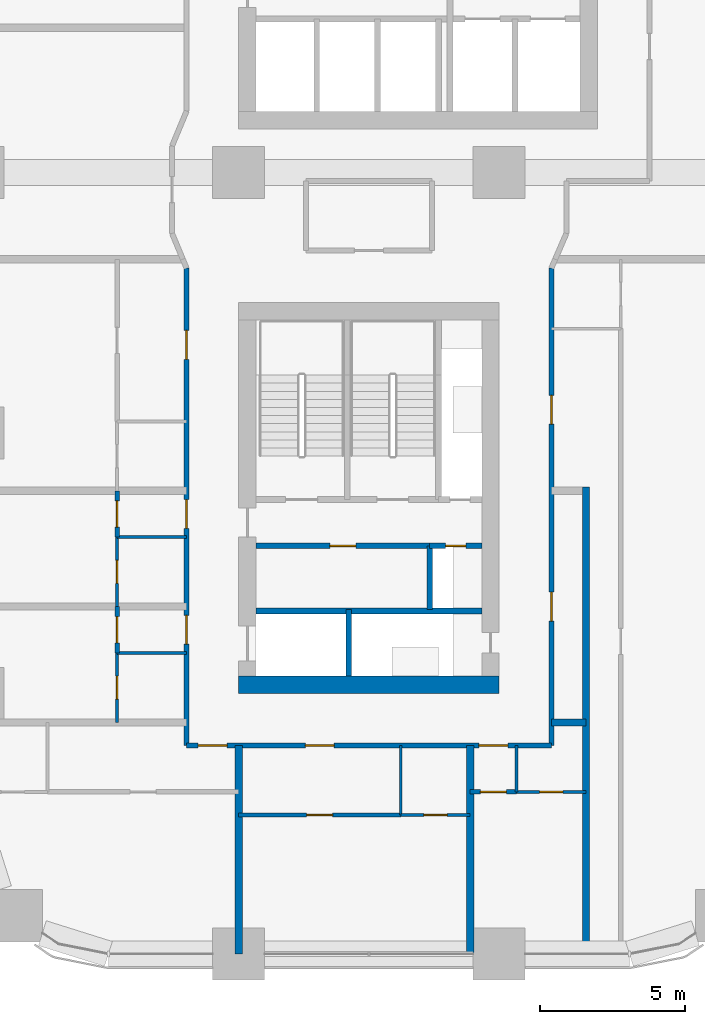
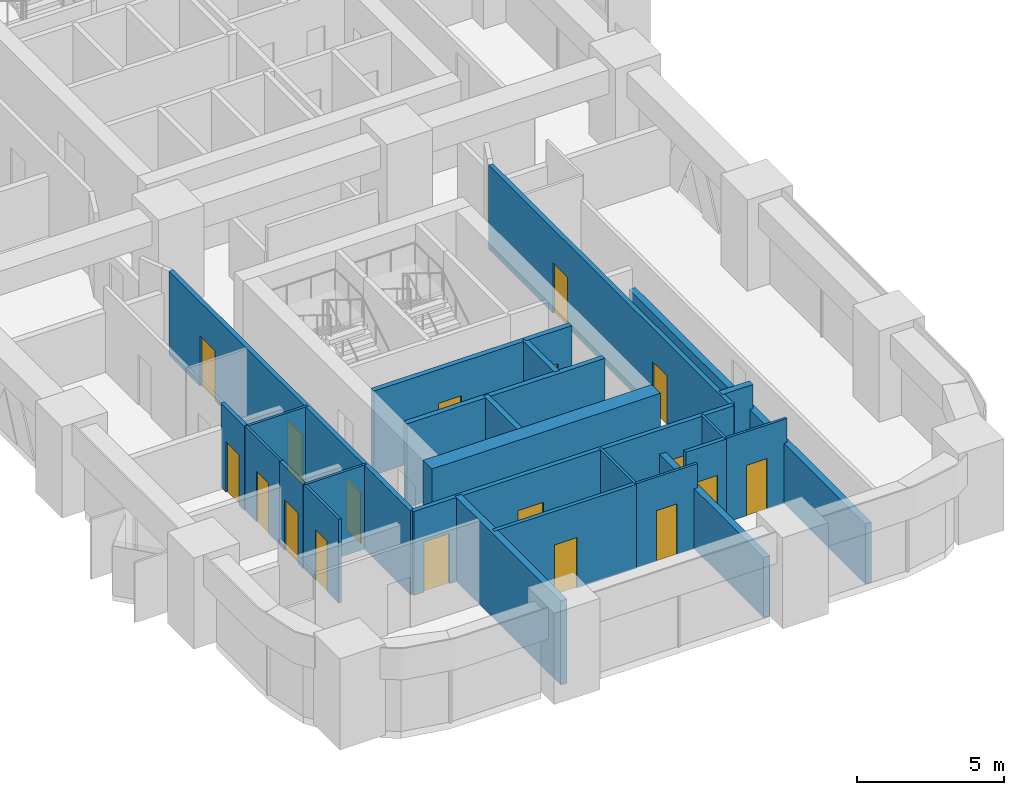
# One storey, part 13 of 24: 25 walls, 18 doors, 18 openings.
"""IFC4 building model written with IfcOpenShell, lengths in metres."""

from ifc_helpers import new_model, si_unit, direction, frame, frame_2d, origin, place, context, subcontext, project, spatial, rectangle, extrude, material, layer, layer_set, type_object, element, fill, save


model = new_model("IFC4")

# Units and contexts
model_context = context("Model", 3, precision=1e-05, world=origin(), true_north=direction((0.0, 1.0)))
body_context = subcontext(model_context, "Body", "Model", "MODEL_VIEW")
ifc_project = project(units=[si_unit("LENGTHUNIT", "METRE"), si_unit("AREAUNIT", "SQUARE_METRE"), si_unit("VOLUMEUNIT", "CUBIC_METRE"), si_unit("PLANEANGLEUNIT", "RADIAN"), si_unit("MASSUNIT", "GRAM", prefix="KILO")], contexts=[model_context])

# Site, building, storey
site_placement = place(None, origin())
site = spatial("IfcSite", under=ifc_project, at=site_placement, CompositionType="ELEMENT")
building_placement = place(site_placement, origin())
building = spatial("IfcBuilding", under=site, at=building_placement, Name="Tessera Arch", CompositionType="ELEMENT")
storey_placement = place(building_placement, frame((0.0, 0.0, 81.60009765625)))
storey = spatial("IfcBuildingStorey", under=building, at=storey_placement, Name="L18", CompositionType="ELEMENT", Elevation=81.60009765625)

# Wall, opening, door
ifc_material_1 = material(Name="Gypsum board on steel stud", Category="steel")
ifc_layer_1 = layer(ifc_material_1, 0.125)
ifc_layer_set_1 = layer_set([ifc_layer_1], Name="Core partition 125 EI 60")
wall_type_1 = type_object("IfcWallType", Name="Core partition 125 EI 60", PredefinedType="PARTITIONING", material=ifc_layer_set_1)
wall_1_placement = place(storey_placement, frame((36.60009765625, 14.10009765625, 0.0), z_axis=(0.0, 0.0, 1.0), x_axis=(1.0, 0.0, 0.0)))
wall_1 = element("IfcWall", 1, at=wall_1_placement, inside=storey, type_object=wall_type_1, Name="L18 C3 partition wall 8", PredefinedType="PARTITIONING", context=body_context, shape_type="SweptSolid", body=[
    extrude(rectangle(XDim=6.0, YDim=0.199951171875, at=frame_2d((3.0, 0.0))), origin(), (0.0, 0.0, 1.0), 3.5),
])
opening_1_placement = place(wall_1_placement, frame((2.550048828125, 0.0, 0.0)))
opening_1 = element("IfcOpeningElement", 2, at=opening_1_placement, cuts=wall_1, Name="Opening L18-C40", PredefinedType="OPENING", context=body_context, shape_type="SweptSolid", body=[
    extrude(rectangle(XDim=0.89990234375, YDim=2.10009765625, at=frame_2d((0.449951171875, 1.050048828125))), frame((0.0, 0.10986328125, 0.0), z_axis=(0.0, -1.0, 0.0), x_axis=(1.0, 0.0, 0.0)), (0.0, 0.0, 1.0), 0.219970703125),
])
ifc_material_2 = material(Name="Steel door leaf", Category="steel")
door_type_1 = type_object("IfcDoorType", Name="Store door FD30S 900 x 2100", OperationType="SINGLE_SWING_LEFT", PredefinedType="DOOR", material=ifc_material_2)
door_1_placement = place(opening_1_placement, origin())
door_1 = element("IfcDoor", 3, at=door_1_placement, inside=storey, type_object=door_type_1, Name="L18 C3 door 8 C40 type D09", OperationType="SINGLE_SWING_LEFT", OverallHeight=2.10009765625, OverallWidth=0.89990234375, PredefinedType="DOOR", context=body_context, shape_type="SweptSolid", body=[
    extrude(rectangle(XDim=0.89990234375, YDim=2.10009765625, at=frame_2d((0.449951171875, 1.050048828125))), frame((0.0, 0.02490234375, 0.0), z_axis=(0.0, -1.0, 0.0), x_axis=(1.0, 0.0, 0.0)), (0.0, 0.0, 1.0), 0.050048828125),
])
fill(opening_1, door_1)

# Wall
ifc_material_3 = material(Name="Concrete C70/85", Category="concrete")
ifc_layer_2 = layer(ifc_material_3, 0.60009765625)
ifc_layer_set_2 = layer_set([ifc_layer_2], Name="Core shell wall 600 C70-85")
wall_type_2 = type_object("IfcWallType", Name="Core shell wall 600 C70-85", PredefinedType="SHEAR", material=ifc_layer_set_2)
wall_2_placement = place(storey_placement, frame((36.0, 9.300048828125, 0.0), z_axis=(0.0, 0.0, 1.0), x_axis=(1.0, 0.0, 0.0)))
element("IfcWall", 4, at=wall_2_placement, inside=storey, type_object=wall_type_2, Name="L18 C3 core wall S", PredefinedType="SHEAR", context=body_context, shape_type="SweptSolid", body=[
    extrude(rectangle(XDim=9.0, YDim=0.60009765625, at=frame_2d((4.5, 0.0))), origin(), (0.0, 0.0, 1.0), 3.5),
])

# Wall, openings, doors
ifc_material_4 = material(Name="Gypsum board on deep steel stud with mineral wool", Category="steel")
ifc_layer_3 = layer(ifc_material_4, 0.175048828125)
ifc_layer_set_3 = layer_set([ifc_layer_3], Name="Corridor wall 175 EI 60")
wall_type_3 = type_object("IfcWallType", Name="Corridor wall 175 EI 60", PredefinedType="PARTITIONING", material=ifc_layer_set_3)
wall_3_placement = place(storey_placement, frame((34.199951171875, 7.199951171875, 0.0), z_axis=(0.0, 0.0, 1.0), x_axis=(1.0, 0.0, 0.0)))
wall_3 = element("IfcWall", 5, at=wall_3_placement, inside=storey, type_object=wall_type_3, Name="L18 partition 1", PredefinedType="PARTITIONING", context=body_context, shape_type="SweptSolid", body=[
    extrude(rectangle(XDim=12.60009765625, YDim=0.175048828125, at=frame_2d((6.300048828125, 0.0))), origin(), (0.0, 0.0, 1.0), 3.5),
])
opening_2_placement = place(wall_3_placement, frame((4.10009765625, 0.0, 0.0)))
opening_2 = element("IfcOpeningElement", 6, at=opening_2_placement, cuts=wall_3, Name="Opening L18-D001", PredefinedType="OPENING", context=body_context, shape_type="SweptSolid", body=[
    extrude(rectangle(XDim=1.0, YDim=2.10009765625, at=frame_2d((0.5, 1.050048828125))), frame((0.0, 0.097412109375, 0.0), z_axis=(0.0, -1.0, 0.0), x_axis=(1.0, 0.0, 0.0)), (0.0, 0.0, 1.0), 0.195068359375),
])
opening_3_placement = place(wall_3_placement, frame((10.10009765625, 0.0, 0.0)))
opening_3 = element("IfcOpeningElement", 7, at=opening_3_placement, cuts=wall_3, Name="Opening L18-D004", PredefinedType="OPENING", context=body_context, shape_type="SweptSolid", body=[
    extrude(rectangle(XDim=1.0, YDim=2.10009765625, at=frame_2d((0.5, 1.050048828125))), frame((0.0, 0.097412109375, 0.0), z_axis=(0.0, -1.0, 0.0), x_axis=(1.0, 0.0, 0.0)), (0.0, 0.0, 1.0), 0.195068359375),
])
opening_4_placement = place(wall_3_placement, frame((0.39990234375, 0.0, 0.0)))
opening_4 = element("IfcOpeningElement", 8, at=opening_4_placement, cuts=wall_3, Name="Opening L18-D007", PredefinedType="OPENING", context=body_context, shape_type="SweptSolid", body=[
    extrude(rectangle(XDim=1.0, YDim=2.10009765625, at=frame_2d((0.5, 1.050048828125))), frame((0.0, 0.097412109375, 0.0), z_axis=(0.0, -1.0, 0.0), x_axis=(1.0, 0.0, 0.0)), (0.0, 0.0, 1.0), 0.195068359375),
])
ifc_material_5 = material(Name="Fire-rated door leaf")
door_type_2 = type_object("IfcDoorType", Name="Entrance door FD30S 1000 x 2100", OperationType="SINGLE_SWING_LEFT", PredefinedType="DOOR", material=ifc_material_5)
door_2_placement = place(opening_2_placement, origin())
door_2 = element("IfcDoor", 9, at=door_2_placement, inside=storey, type_object=door_type_2, Name="L18 door D001 type D03", OperationType="SINGLE_SWING_RIGHT", OverallHeight=2.10009765625, OverallWidth=1.0, PredefinedType="DOOR", context=body_context, shape_type="SweptSolid", body=[
    extrude(rectangle(XDim=1.0, YDim=2.10009765625, at=frame_2d((0.5, 1.050048828125))), frame((0.0, 0.02490234375, 0.0), z_axis=(0.0, -1.0, 0.0), x_axis=(1.0, 0.0, 0.0)), (0.0, 0.0, 1.0), 0.050048828125),
])
fill(opening_2, door_2)
door_3_placement = place(opening_3_placement, origin())
door_3 = element("IfcDoor", 10, at=door_3_placement, inside=storey, type_object=door_type_2, Name="L18 door D004 type D03", OperationType="SINGLE_SWING_LEFT", OverallHeight=2.10009765625, OverallWidth=1.0, PredefinedType="DOOR", context=body_context, shape_type="SweptSolid", body=[
    extrude(rectangle(XDim=1.0, YDim=2.10009765625, at=frame_2d((0.5, 1.050048828125))), frame((0.0, 0.02490234375, 0.0), z_axis=(0.0, -1.0, 0.0), x_axis=(1.0, 0.0, 0.0)), (0.0, 0.0, 1.0), 0.050048828125),
])
fill(opening_3, door_3)
door_4_placement = place(opening_4_placement, origin())
door_4 = element("IfcDoor", 11, at=door_4_placement, inside=storey, type_object=door_type_2, Name="L18 door D007 type D03", OperationType="SINGLE_SWING_RIGHT", OverallHeight=2.10009765625, OverallWidth=1.0, PredefinedType="DOOR", context=body_context, shape_type="SweptSolid", body=[
    extrude(rectangle(XDim=1.0, YDim=2.10009765625, at=frame_2d((0.5, 1.050048828125))), frame((0.0, 0.02490234375, 0.0), z_axis=(0.0, -1.0, 0.0), x_axis=(1.0, 0.0, 0.0)), (0.0, 0.0, 1.0), 0.050048828125),
])
fill(opening_4, door_4)

wall_4_placement = place(storey_placement, frame((34.199951171875, 7.199951171875, 0.0), z_axis=(0.0, 0.0, 1.0), x_axis=(0.0, 1.0, 0.0)))
wall_4 = element("IfcWall", 12, at=wall_4_placement, inside=storey, type_object=wall_type_3, Name="L18 partition 15", PredefinedType="PARTITIONING", context=body_context, shape_type="SweptSolid", body=[
    extrude(rectangle(XDim=16.489990234375, YDim=0.175048828125, at=frame_2d((8.2451171875, 0.0))), origin(), (0.0, 0.0, 1.0), 3.5),
])
opening_5_placement = place(wall_4_placement, frame((3.5, 0.0, 0.0)))
opening_5 = element("IfcOpeningElement", 13, at=opening_5_placement, cuts=wall_4, Name="Opening L18-D010", PredefinedType="OPENING", context=body_context, shape_type="SweptSolid", body=[
    extrude(rectangle(XDim=1.0, YDim=2.10009765625, at=frame_2d((0.5, 1.050048828125))), frame((0.0, 0.097412109375, 0.0), z_axis=(0.0, -1.0, 0.0), x_axis=(1.0, 0.0, 0.0)), (0.0, 0.0, 1.0), 0.195068359375),
])
opening_6_placement = place(wall_4_placement, frame((7.5, 0.0, 0.0)))
opening_6 = element("IfcOpeningElement", 14, at=opening_6_placement, cuts=wall_4, Name="Opening L18-D017", PredefinedType="OPENING", context=body_context, shape_type="SweptSolid", body=[
    extrude(rectangle(XDim=1.0, YDim=2.10009765625, at=frame_2d((0.5, 1.050048828125))), frame((0.0, 0.097412109375, 0.0), z_axis=(0.0, -1.0, 0.0), x_axis=(1.0, 0.0, 0.0)), (0.0, 0.0, 1.0), 0.195068359375),
])
opening_7_placement = place(wall_4_placement, frame((13.344970703125, 0.0, 0.0)))
opening_7 = element("IfcOpeningElement", 15, at=opening_7_placement, cuts=wall_4, Name="Opening L18-D020", PredefinedType="OPENING", context=body_context, shape_type="SweptSolid", body=[
    extrude(rectangle(XDim=1.0, YDim=2.10009765625, at=frame_2d((0.5, 1.050048828125))), frame((0.0, 0.097412109375, 0.0), z_axis=(0.0, -1.0, 0.0), x_axis=(1.0, 0.0, 0.0)), (0.0, 0.0, 1.0), 0.195068359375),
])
door_5_placement = place(opening_5_placement, origin())
door_5 = element("IfcDoor", 16, at=door_5_placement, inside=storey, type_object=door_type_2, Name="L18 door D010 type D03", OperationType="SINGLE_SWING_RIGHT", OverallHeight=2.10009765625, OverallWidth=1.0, PredefinedType="DOOR", context=body_context, shape_type="SweptSolid", body=[
    extrude(rectangle(XDim=1.0, YDim=2.10009765625, at=frame_2d((0.5, 1.050048828125))), frame((0.0, 0.02490234375, 0.0), z_axis=(0.0, -1.0, 0.0), x_axis=(1.0, 0.0, 0.0)), (0.0, 0.0, 1.0), 0.050048828125),
])
fill(opening_5, door_5)
door_6_placement = place(opening_6_placement, origin())
door_6 = element("IfcDoor", 17, at=door_6_placement, inside=storey, type_object=door_type_2, Name="L18 door D017 type D03", OperationType="SINGLE_SWING_LEFT", OverallHeight=2.10009765625, OverallWidth=1.0, PredefinedType="DOOR", context=body_context, shape_type="SweptSolid", body=[
    extrude(rectangle(XDim=1.0, YDim=2.10009765625, at=frame_2d((0.5, 1.050048828125))), frame((0.0, 0.02490234375, 0.0), z_axis=(0.0, -1.0, 0.0), x_axis=(1.0, 0.0, 0.0)), (0.0, 0.0, 1.0), 0.050048828125),
])
fill(opening_6, door_6)
door_7_placement = place(opening_7_placement, origin())
door_7 = element("IfcDoor", 18, at=door_7_placement, inside=storey, type_object=door_type_2, Name="L18 door D020 type D03", OperationType="SINGLE_SWING_RIGHT", OverallHeight=2.10009765625, OverallWidth=1.0, PredefinedType="DOOR", context=body_context, shape_type="SweptSolid", body=[
    extrude(rectangle(XDim=1.0, YDim=2.10009765625, at=frame_2d((0.5, 1.050048828125))), frame((0.0, 0.02490234375, 0.0), z_axis=(0.0, -1.0, 0.0), x_axis=(1.0, 0.0, 0.0)), (0.0, 0.0, 1.0), 0.050048828125),
])
fill(opening_7, door_7)

wall_5_placement = place(storey_placement, frame((46.800048828125, 7.199951171875, 0.0), z_axis=(0.0, 0.0, 1.0), x_axis=(0.0, 1.0, 0.0)))
wall_5 = element("IfcWall", 19, at=wall_5_placement, inside=storey, type_object=wall_type_3, Name="L18 partition 20", PredefinedType="PARTITIONING", context=body_context, shape_type="SweptSolid", body=[
    extrude(rectangle(XDim=16.489990234375, YDim=0.175048828125, at=frame_2d((8.2451171875, 0.0))), origin(), (0.0, 0.0, 1.0), 3.5),
])
opening_8_placement = place(wall_5_placement, frame((4.300048828125, 0.0, 0.0)))
opening_8 = element("IfcOpeningElement", 20, at=opening_8_placement, cuts=wall_5, Name="Opening L18-D013", PredefinedType="OPENING", context=body_context, shape_type="SweptSolid", body=[
    extrude(rectangle(XDim=1.0, YDim=2.10009765625, at=frame_2d((0.5, 1.050048828125))), frame((0.0, 0.097412109375, 0.0), z_axis=(0.0, -1.0, 0.0), x_axis=(1.0, 0.0, 0.0)), (0.0, 0.0, 1.0), 0.195068359375),
])
opening_9_placement = place(wall_5_placement, frame((11.10009765625, 0.0, 0.0)))
opening_9 = element("IfcOpeningElement", 21, at=opening_9_placement, cuts=wall_5, Name="Opening L18-D014", PredefinedType="OPENING", context=body_context, shape_type="SweptSolid", body=[
    extrude(rectangle(XDim=1.0, YDim=2.10009765625, at=frame_2d((0.5, 1.050048828125))), frame((0.0, 0.097412109375, 0.0), z_axis=(0.0, -1.0, 0.0), x_axis=(1.0, 0.0, 0.0)), (0.0, 0.0, 1.0), 0.195068359375),
])
door_8_placement = place(opening_8_placement, origin())
door_8 = element("IfcDoor", 22, at=door_8_placement, inside=storey, type_object=door_type_2, Name="L18 door D013 type D03", OperationType="SINGLE_SWING_RIGHT", OverallHeight=2.10009765625, OverallWidth=1.0, PredefinedType="DOOR", context=body_context, shape_type="SweptSolid", body=[
    extrude(rectangle(XDim=1.0, YDim=2.10009765625, at=frame_2d((0.5, 1.050048828125))), frame((0.0, 0.02490234375, 0.0), z_axis=(0.0, -1.0, 0.0), x_axis=(1.0, 0.0, 0.0)), (0.0, 0.0, 1.0), 0.050048828125),
])
fill(opening_8, door_8)
door_9_placement = place(opening_9_placement, origin())
door_9 = element("IfcDoor", 23, at=door_9_placement, inside=storey, type_object=door_type_2, Name="L18 door D014 type D03", OperationType="SINGLE_SWING_LEFT", OverallHeight=2.10009765625, OverallWidth=1.0, PredefinedType="DOOR", context=body_context, shape_type="SweptSolid", body=[
    extrude(rectangle(XDim=1.0, YDim=2.10009765625, at=frame_2d((0.5, 1.050048828125))), frame((0.0, 0.02490234375, 0.0), z_axis=(0.0, -1.0, 0.0), x_axis=(1.0, 0.0, 0.0)), (0.0, 0.0, 1.0), 0.050048828125),
])
fill(opening_9, door_9)

# Wall, opening, door
ifc_material_6 = material(Name="Gypsum board on steel stud", Category="steel")
ifc_layer_4 = layer(ifc_material_6, 0.14990234375)
ifc_layer_set_4 = layer_set([ifc_layer_4], Name="Partition 150")
wall_type_4 = type_object("IfcWallType", Name="Partition 150", PredefinedType="PARTITIONING", material=ifc_layer_set_4)
wall_6_placement = place(storey_placement, frame((36.0, 4.800048828125, 0.0), z_axis=(0.0, 0.0, 1.0), x_axis=(1.0, 0.0, 0.0)))
wall_6 = element("IfcWall", 24, at=wall_6_placement, inside=storey, type_object=wall_type_4, Name="L18 partition 23", PredefinedType="PARTITIONING", context=body_context, shape_type="SweptSolid", body=[
    extrude(rectangle(XDim=5.60009765625, YDim=0.14990234375, at=frame_2d((2.800048828125, 0.0))), origin(), (0.0, 0.0, 1.0), 3.5),
])
opening_10_placement = place(wall_6_placement, frame((2.35009765625, 0.0, 0.0)))
opening_10 = element("IfcOpeningElement", 25, at=opening_10_placement, cuts=wall_6, Name="Opening L18-D002", PredefinedType="OPENING", context=body_context, shape_type="SweptSolid", body=[
    extrude(rectangle(XDim=0.89990234375, YDim=2.10009765625, at=frame_2d((0.449951171875, 1.050048828125))), frame((0.0, 0.0849609375, 0.0), z_axis=(0.0, -1.0, 0.0), x_axis=(1.0, 0.0, 0.0)), (0.0, 0.0, 1.0), 0.169921875),
])
ifc_material_7 = material(Name="Timber door leaf", Category="wood")
door_type_3 = type_object("IfcDoorType", Name="Room door 900 x 2100", OperationType="SINGLE_SWING_LEFT", PredefinedType="DOOR", material=ifc_material_7)
door_10_placement = place(opening_10_placement, origin())
door_10 = element("IfcDoor", 26, at=door_10_placement, inside=storey, type_object=door_type_3, Name="L18 door D002 type D01", OperationType="SINGLE_SWING_LEFT", OverallHeight=2.10009765625, OverallWidth=0.89990234375, PredefinedType="DOOR", context=body_context, shape_type="SweptSolid", body=[
    extrude(rectangle(XDim=0.89990234375, YDim=2.10009765625, at=frame_2d((0.449951171875, 1.050048828125))), frame((0.0, 0.02490234375, 0.0), z_axis=(0.0, -1.0, 0.0), x_axis=(1.0, 0.0, 0.0)), (0.0, 0.0, 1.0), 0.050048828125),
])
fill(opening_10, door_10)

wall_7_placement = place(storey_placement, frame((44.0, 5.60009765625, 0.0), z_axis=(0.0, 0.0, 1.0), x_axis=(1.0, 0.0, 0.0)))
wall_7 = element("IfcWall", 27, at=wall_7_placement, inside=storey, type_object=wall_type_4, Name="L18 partition 25", PredefinedType="PARTITIONING", context=body_context, shape_type="SweptSolid", body=[
    extrude(rectangle(XDim=1.60009765625, YDim=0.14990234375, at=frame_2d((0.800048828125, 0.0))), origin(), (0.0, 0.0, 1.0), 3.5),
])
opening_11_placement = place(wall_7_placement, frame((0.35009765625, 0.0, 0.0)))
opening_11 = element("IfcOpeningElement", 28, at=opening_11_placement, cuts=wall_7, Name="Opening L18-D005", PredefinedType="OPENING", context=body_context, shape_type="SweptSolid", body=[
    extrude(rectangle(XDim=0.89990234375, YDim=2.10009765625, at=frame_2d((0.449951171875, 1.050048828125))), frame((0.0, 0.0849609375, 0.0), z_axis=(0.0, -1.0, 0.0), x_axis=(1.0, 0.0, 0.0)), (0.0, 0.0, 1.0), 0.169921875),
])
door_11_placement = place(opening_11_placement, origin())
door_11 = element("IfcDoor", 29, at=door_11_placement, inside=storey, type_object=door_type_3, Name="L18 door D005 type D01", OperationType="SINGLE_SWING_RIGHT", OverallHeight=2.10009765625, OverallWidth=0.89990234375, PredefinedType="DOOR", context=body_context, shape_type="SweptSolid", body=[
    extrude(rectangle(XDim=0.89990234375, YDim=2.10009765625, at=frame_2d((0.449951171875, 1.050048828125))), frame((0.0, 0.02490234375, 0.0), z_axis=(0.0, -1.0, 0.0), x_axis=(1.0, 0.0, 0.0)), (0.0, 0.0, 1.0), 0.050048828125),
])
fill(opening_11, door_11)

wall_8_placement = place(storey_placement, frame((31.800048828125, 10.39990234375, 0.0), z_axis=(0.0, 0.0, 1.0), x_axis=(0.0, 1.0, 0.0)))
wall_8 = element("IfcWall", 30, at=wall_8_placement, inside=storey, type_object=wall_type_4, Name="L18 partition 26", PredefinedType="PARTITIONING", context=body_context, shape_type="SweptSolid", body=[
    extrude(rectangle(XDim=1.60009765625, YDim=0.14990234375, at=frame_2d((0.800048828125, 0.0))), origin(), (0.0, 0.0, 1.0), 3.5),
])
opening_12_placement = place(wall_8_placement, frame((0.35009765625, 0.0, 0.0)))
opening_12 = element("IfcOpeningElement", 31, at=opening_12_placement, cuts=wall_8, Name="Opening L18-D011", PredefinedType="OPENING", context=body_context, shape_type="SweptSolid", body=[
    extrude(rectangle(XDim=0.89990234375, YDim=2.10009765625, at=frame_2d((0.449951171875, 1.050048828125))), frame((0.0, 0.0849609375, 0.0), z_axis=(0.0, -1.0, 0.0), x_axis=(1.0, 0.0, 0.0)), (0.0, 0.0, 1.0), 0.169921875),
])
door_12_placement = place(opening_12_placement, origin())
door_12 = element("IfcDoor", 32, at=door_12_placement, inside=storey, type_object=door_type_3, Name="L18 door D011 type D01", OperationType="SINGLE_SWING_LEFT", OverallHeight=2.10009765625, OverallWidth=0.89990234375, PredefinedType="DOOR", context=body_context, shape_type="SweptSolid", body=[
    extrude(rectangle(XDim=0.89990234375, YDim=2.10009765625, at=frame_2d((0.449951171875, 1.050048828125))), frame((0.0, 0.02490234375, 0.0), z_axis=(0.0, -1.0, 0.0), x_axis=(1.0, 0.0, 0.0)), (0.0, 0.0, 1.0), 0.050048828125),
])
fill(opening_12, door_12)

wall_9_placement = place(storey_placement, frame((31.800048828125, 14.39990234375, 0.0), z_axis=(0.0, 0.0, 1.0), x_axis=(0.0, 1.0, 0.0)))
wall_9 = element("IfcWall", 33, at=wall_9_placement, inside=storey, type_object=wall_type_4, Name="L18 partition 27", PredefinedType="PARTITIONING", context=body_context, shape_type="SweptSolid", body=[
    extrude(rectangle(XDim=1.60009765625, YDim=0.14990234375, at=frame_2d((0.800048828125, 0.0))), origin(), (0.0, 0.0, 1.0), 3.5),
])
opening_13_placement = place(wall_9_placement, frame((0.35009765625, 0.0, 0.0)))
opening_13 = element("IfcOpeningElement", 34, at=opening_13_placement, cuts=wall_9, Name="Opening L18-D018", PredefinedType="OPENING", context=body_context, shape_type="SweptSolid", body=[
    extrude(rectangle(XDim=0.89990234375, YDim=2.10009765625, at=frame_2d((0.449951171875, 1.050048828125))), frame((0.0, 0.0849609375, 0.0), z_axis=(0.0, -1.0, 0.0), x_axis=(1.0, 0.0, 0.0)), (0.0, 0.0, 1.0), 0.169921875),
])
door_13_placement = place(opening_13_placement, origin())
door_13 = element("IfcDoor", 35, at=door_13_placement, inside=storey, type_object=door_type_3, Name="L18 door D018 type D01", OperationType="SINGLE_SWING_RIGHT", OverallHeight=2.10009765625, OverallWidth=0.89990234375, PredefinedType="DOOR", context=body_context, shape_type="SweptSolid", body=[
    extrude(rectangle(XDim=0.89990234375, YDim=2.10009765625, at=frame_2d((0.449951171875, 1.050048828125))), frame((0.0, 0.02490234375, 0.0), z_axis=(0.0, -1.0, 0.0), x_axis=(1.0, 0.0, 0.0)), (0.0, 0.0, 1.0), 0.050048828125),
])
fill(opening_13, door_13)

# Walls
ifc_material_8 = material(Name="Double gypsum board on twin steel stud with acoustic mineral wool", Category="steel")
ifc_layer_5 = layer(ifc_material_8, 0.25)
ifc_layer_set_5 = layer_set([ifc_layer_5], Name="Party wall 250 EI 60")
wall_type_5 = type_object("IfcWallType", Name="Party wall 250 EI 60", PredefinedType="PARTITIONING", material=ifc_layer_set_5)
wall_10_placement = place(storey_placement, frame((46.800048828125, 8.0, 0.0), z_axis=(0.0, 0.0, 1.0), x_axis=(1.0, 0.0, 0.0)))
element("IfcWall", 36, at=wall_10_placement, inside=storey, type_object=wall_type_5, Name="L18 partition 31", PredefinedType="PARTITIONING", context=body_context, shape_type="SweptSolid", body=[
    extrude(rectangle(XDim=1.199951171875, YDim=0.25, at=frame_2d((0.60009765625, 0.0))), origin(), (0.0, 0.0, 1.0), 3.5),
])
wall_11_placement = place(storey_placement, frame((36.0, 0.0, 0.0), z_axis=(0.0, 0.0, 1.0), x_axis=(0.0, 1.0, 0.0)))
element("IfcWall", 37, at=wall_11_placement, inside=storey, type_object=wall_type_5, Name="L18 partition 52", PredefinedType="PARTITIONING", context=body_context, shape_type="SweptSolid", body=[
    extrude(rectangle(XDim=7.199951171875, YDim=0.25, at=frame_2d((3.60009765625, 0.0))), origin(), (0.0, 0.0, 1.0), 3.5),
])
wall_12_placement = place(storey_placement, frame((44.0, 0.0, 0.0), z_axis=(0.0, 0.0, 1.0), x_axis=(0.0, 1.0, 0.0)))
element("IfcWall", 38, at=wall_12_placement, inside=storey, type_object=wall_type_5, Name="L18 partition 55", PredefinedType="PARTITIONING", context=body_context, shape_type="SweptSolid", body=[
    extrude(rectangle(XDim=7.199951171875, YDim=0.25, at=frame_2d((3.60009765625, 0.0))), origin(), (0.0, 0.0, 1.0), 2.5),
])
wall_13_placement = place(storey_placement, frame((48.0, 0.0, 0.0), z_axis=(0.0, 0.0, 1.0), x_axis=(0.0, 1.0, 0.0)))
element("IfcWall", 39, at=wall_13_placement, inside=storey, type_object=wall_type_5, Name="L18 partition 56", PredefinedType="PARTITIONING", context=body_context, shape_type="SweptSolid", body=[
    extrude(rectangle(XDim=16.125, YDim=0.25, at=frame_2d((8.0625, 0.0))), origin(), (0.0, 0.0, 1.0), 2.5),
])
ifc_material_9 = material(Name="Concrete C40/50", Category="concrete")
ifc_layer_6 = layer(ifc_material_9, 0.199951171875)
ifc_layer_set_6 = layer_set([ifc_layer_6], Name="Shaft wall 200 EI 120")
wall_type_6 = type_object("IfcWallType", Name="Shaft wall 200 EI 120", PredefinedType="SOLIDWALL", material=ifc_layer_set_6)
wall_14_placement = place(storey_placement, frame((39.800048828125, 9.60009765625, 0.0), z_axis=(0.0, 0.0, 1.0), x_axis=(0.0, 1.0, 0.0)))
element("IfcWall", 40, at=wall_14_placement, inside=storey, type_object=wall_type_6, Name="L18 C3 shaft wall 3", PredefinedType="SOLIDWALL", context=body_context, shape_type="SweptSolid", body=[
    extrude(rectangle(XDim=2.2998046875, YDim=0.199951171875, at=frame_2d((1.14990234375, 0.0))), origin(), (0.0, 0.0, 1.0), 3.5),
])
wall_15_placement = place(storey_placement, frame((42.60009765625, 11.89990234375, 0.0), z_axis=(0.0, 0.0, 1.0), x_axis=(0.0, 1.0, 0.0)))
element("IfcWall", 41, at=wall_15_placement, inside=storey, type_object=wall_type_6, Name="L18 C3 shaft wall 4", PredefinedType="SOLIDWALL", context=body_context, shape_type="SweptSolid", body=[
    extrude(rectangle(XDim=2.2001953125, YDim=0.199951171875, at=frame_2d((1.10009765625, 0.0))), origin(), (0.0, 0.0, 1.0), 3.5),
])
wall_16_placement = place(storey_placement, frame((36.60009765625, 11.85009765625, 0.0), z_axis=(0.0, 0.0, 1.0), x_axis=(1.0, 0.0, 0.0)))
element("IfcWall", 42, at=wall_16_placement, inside=storey, type_object=wall_type_6, Name="L18 C3 shaft wall 7", PredefinedType="SOLIDWALL", context=body_context, shape_type="SweptSolid", body=[
    extrude(rectangle(XDim=7.7998046875, YDim=0.199951171875, at=frame_2d((3.89990234375, 0.0))), origin(), (0.0, 0.0, 1.0), 3.5),
])

# Wall, opening, door
wall_17_placement = place(storey_placement, frame((42.60009765625, 14.10009765625, 0.0), z_axis=(0.0, 0.0, 1.0), x_axis=(1.0, 0.0, 0.0)))
wall_17 = element("IfcWall", 43, at=wall_17_placement, inside=storey, type_object=wall_type_6, Name="L18 C3 shaft wall 9", PredefinedType="SOLIDWALL", context=body_context, shape_type="SweptSolid", body=[
    extrude(rectangle(XDim=1.7998046875, YDim=0.199951171875, at=frame_2d((0.89990234375, 0.0))), origin(), (0.0, 0.0, 1.0), 3.5),
])
opening_14_placement = place(wall_17_placement, frame((0.550048828125, 0.0, 0.0)))
opening_14 = element("IfcOpeningElement", 44, at=opening_14_placement, cuts=wall_17, Name="Opening L18-C37", PredefinedType="OPENING", context=body_context, shape_type="SweptSolid", body=[
    extrude(rectangle(XDim=0.699951171875, YDim=2.10009765625, at=frame_2d((0.35009765625, 1.050048828125))), frame((0.0, 0.10986328125, 0.0), z_axis=(0.0, -1.0, 0.0), x_axis=(1.0, 0.0, 0.0)), (0.0, 0.0, 1.0), 0.219970703125),
])
ifc_material_10 = material(Name="Steel door leaf", Category="steel")
door_type_4 = type_object("IfcDoorType", Name="Service shaft door FD60 700 x 2100", OperationType="SINGLE_SWING_LEFT", PredefinedType="DOOR", material=ifc_material_10)
door_14_placement = place(opening_14_placement, origin())
door_14 = element("IfcDoor", 45, at=door_14_placement, inside=storey, type_object=door_type_4, Name="L18 C3 door 5 C37 type D07", OperationType="SINGLE_SWING_RIGHT", OverallHeight=2.10009765625, OverallWidth=0.699951171875, PredefinedType="DOOR", context=body_context, shape_type="SweptSolid", body=[
    extrude(rectangle(XDim=0.699951171875, YDim=2.10009765625, at=frame_2d((0.35009765625, 1.050048828125))), frame((0.0, 0.02490234375, 0.0), z_axis=(0.0, -1.0, 0.0), x_axis=(1.0, 0.0, 0.0)), (0.0, 0.0, 1.0), 0.050048828125),
])
fill(opening_14, door_14)

ifc_material_11 = material(Name="Moisture-resistant board on pre-plumbed steel stud", Category="steel")
ifc_layer_7 = layer(ifc_material_11, 0.10009765625)
ifc_layer_set_7 = layer_set([ifc_layer_7], Name="Wet wall 100")
wall_type_7 = type_object("IfcWallType", Name="Wet wall 100", PredefinedType="PARTITIONING", material=ifc_layer_set_7)
wall_18_placement = place(storey_placement, frame((41.60009765625, 4.800048828125, 0.0), z_axis=(0.0, 0.0, 1.0), x_axis=(1.0, 0.0, 0.0)))
wall_18 = element("IfcWall", 46, at=wall_18_placement, inside=storey, type_object=wall_type_7, Name="L18 partition 57", PredefinedType="PARTITIONING", context=body_context, shape_type="SweptSolid", body=[
    extrude(rectangle(XDim=2.39990234375, YDim=0.10009765625, at=frame_2d((1.199951171875, 0.0))), origin(), (0.0, 0.0, 1.0), 3.5),
])
opening_15_placement = place(wall_18_placement, frame((0.800048828125, 0.0, 0.0)))
opening_15 = element("IfcOpeningElement", 47, at=opening_15_placement, cuts=wall_18, Name="Opening L18-D003", PredefinedType="OPENING", context=body_context, shape_type="SweptSolid", body=[
    extrude(rectangle(XDim=0.800048828125, YDim=2.10009765625, at=frame_2d((0.39990234375, 1.050048828125))), frame((0.0, 0.06005859375, 0.0), z_axis=(0.0, -1.0, 0.0), x_axis=(1.0, 0.0, 0.0)), (0.0, 0.0, 1.0), 0.1201171875),
])
ifc_material_12 = material(Name="Timber door leaf", Category="wood")
door_type_5 = type_object("IfcDoorType", Name="En-suite door 800 x 2100", OperationType="SINGLE_SWING_LEFT", PredefinedType="DOOR", material=ifc_material_12)
door_15_placement = place(opening_15_placement, origin())
door_15 = element("IfcDoor", 48, at=door_15_placement, inside=storey, type_object=door_type_5, Name="L18 door D003 type D02", OperationType="SINGLE_SWING_RIGHT", OverallHeight=2.10009765625, OverallWidth=0.800048828125, PredefinedType="DOOR", context=body_context, shape_type="SweptSolid", body=[
    extrude(rectangle(XDim=0.800048828125, YDim=2.10009765625, at=frame_2d((0.39990234375, 1.050048828125))), frame((0.0, 0.02490234375, 0.0), z_axis=(0.0, -1.0, 0.0), x_axis=(1.0, 0.0, 0.0)), (0.0, 0.0, 1.0), 0.050048828125),
])
fill(opening_15, door_15)

wall_19_placement = place(storey_placement, frame((45.60009765625, 5.60009765625, 0.0), z_axis=(0.0, 0.0, 1.0), x_axis=(1.0, 0.0, 0.0)))
wall_19 = element("IfcWall", 49, at=wall_19_placement, inside=storey, type_object=wall_type_7, Name="L18 partition 59", PredefinedType="PARTITIONING", context=body_context, shape_type="SweptSolid", body=[
    extrude(rectangle(XDim=2.39990234375, YDim=0.10009765625, at=frame_2d((1.199951171875, 0.0))), origin(), (0.0, 0.0, 1.0), 3.5),
])
opening_16_placement = place(wall_19_placement, frame((0.800048828125, 0.0, 0.0)))
opening_16 = element("IfcOpeningElement", 50, at=opening_16_placement, cuts=wall_19, Name="Opening L18-D006", PredefinedType="OPENING", context=body_context, shape_type="SweptSolid", body=[
    extrude(rectangle(XDim=0.800048828125, YDim=2.10009765625, at=frame_2d((0.39990234375, 1.050048828125))), frame((0.0, 0.06005859375, 0.0), z_axis=(0.0, -1.0, 0.0), x_axis=(1.0, 0.0, 0.0)), (0.0, 0.0, 1.0), 0.1201171875),
])
door_16_placement = place(opening_16_placement, origin())
door_16 = element("IfcDoor", 51, at=door_16_placement, inside=storey, type_object=door_type_5, Name="L18 door D006 type D02", OperationType="SINGLE_SWING_LEFT", OverallHeight=2.10009765625, OverallWidth=0.800048828125, PredefinedType="DOOR", context=body_context, shape_type="SweptSolid", body=[
    extrude(rectangle(XDim=0.800048828125, YDim=2.10009765625, at=frame_2d((0.39990234375, 1.050048828125))), frame((0.0, 0.02490234375, 0.0), z_axis=(0.0, -1.0, 0.0), x_axis=(1.0, 0.0, 0.0)), (0.0, 0.0, 1.0), 0.050048828125),
])
fill(opening_16, door_16)

# Walls
for number, where, z_axis, x_axis, name in (
    (52, (31.800048828125, 10.39990234375, 0.0), (0.0, 0.0, 1.0), (1.0, 0.0, 0.0), "L18 partition 60"),
    (53, (31.800048828125, 14.39990234375, 0.0), (0.0, 0.0, 1.0), (1.0, 0.0, 0.0), "L18 partition 61"),
):
    element("IfcWall", number, at=place(storey_placement, frame(where, z_axis=z_axis, x_axis=x_axis)), inside=storey, type_object=wall_type_7, Name=name, PredefinedType="PARTITIONING", context=body_context, shape_type="SweptSolid", body=[
        extrude(rectangle(XDim=2.39990234375, YDim=0.10009765625, at=frame_2d((1.199951171875, 0.0))), origin(), (0.0, 0.0, 1.0), 3.5),
    ])

# Wall, opening, door
wall_20_placement = place(storey_placement, frame((31.800048828125, 8.0, 0.0), z_axis=(0.0, 0.0, 1.0), x_axis=(0.0, 1.0, 0.0)))
wall_20 = element("IfcWall", 54, at=wall_20_placement, inside=storey, type_object=wall_type_7, Name="L18 partition 65", PredefinedType="PARTITIONING", context=body_context, shape_type="SweptSolid", body=[
    extrude(rectangle(XDim=2.39990234375, YDim=0.10009765625, at=frame_2d((1.199951171875, 0.0))), origin(), (0.0, 0.0, 1.0), 3.5),
])
opening_17_placement = place(wall_20_placement, frame((0.800048828125, 0.0, 0.0)))
opening_17 = element("IfcOpeningElement", 55, at=opening_17_placement, cuts=wall_20, Name="Opening L18-D012", PredefinedType="OPENING", context=body_context, shape_type="SweptSolid", body=[
    extrude(rectangle(XDim=0.800048828125, YDim=2.10009765625, at=frame_2d((0.39990234375, 1.050048828125))), frame((0.0, 0.06005859375, 0.0), z_axis=(0.0, -1.0, 0.0), x_axis=(1.0, 0.0, 0.0)), (0.0, 0.0, 1.0), 0.1201171875),
])
door_17_placement = place(opening_17_placement, origin())
door_17 = element("IfcDoor", 56, at=door_17_placement, inside=storey, type_object=door_type_5, Name="L18 door D012 type D02", OperationType="SINGLE_SWING_RIGHT", OverallHeight=2.10009765625, OverallWidth=0.800048828125, PredefinedType="DOOR", context=body_context, shape_type="SweptSolid", body=[
    extrude(rectangle(XDim=0.800048828125, YDim=2.10009765625, at=frame_2d((0.39990234375, 1.050048828125))), frame((0.0, 0.02490234375, 0.0), z_axis=(0.0, -1.0, 0.0), x_axis=(1.0, 0.0, 0.0)), (0.0, 0.0, 1.0), 0.050048828125),
])
fill(opening_17, door_17)

wall_21_placement = place(storey_placement, frame((31.800048828125, 12.0, 0.0), z_axis=(0.0, 0.0, 1.0), x_axis=(0.0, 1.0, 0.0)))
wall_21 = element("IfcWall", 57, at=wall_21_placement, inside=storey, type_object=wall_type_7, Name="L18 partition 66", PredefinedType="PARTITIONING", context=body_context, shape_type="SweptSolid", body=[
    extrude(rectangle(XDim=2.39990234375, YDim=0.10009765625, at=frame_2d((1.199951171875, 0.0))), origin(), (0.0, 0.0, 1.0), 3.5),
])
opening_18_placement = place(wall_21_placement, frame((0.800048828125, 0.0, 0.0)))
opening_18 = element("IfcOpeningElement", 58, at=opening_18_placement, cuts=wall_21, Name="Opening L18-D019", PredefinedType="OPENING", context=body_context, shape_type="SweptSolid", body=[
    extrude(rectangle(XDim=0.800048828125, YDim=2.10009765625, at=frame_2d((0.39990234375, 1.050048828125))), frame((0.0, 0.06005859375, 0.0), z_axis=(0.0, -1.0, 0.0), x_axis=(1.0, 0.0, 0.0)), (0.0, 0.0, 1.0), 0.1201171875),
])
door_18_placement = place(opening_18_placement, origin())
door_18 = element("IfcDoor", 59, at=door_18_placement, inside=storey, type_object=door_type_5, Name="L18 door D019 type D02", OperationType="SINGLE_SWING_LEFT", OverallHeight=2.10009765625, OverallWidth=0.800048828125, PredefinedType="DOOR", context=body_context, shape_type="SweptSolid", body=[
    extrude(rectangle(XDim=0.800048828125, YDim=2.10009765625, at=frame_2d((0.39990234375, 1.050048828125))), frame((0.0, 0.02490234375, 0.0), z_axis=(0.0, -1.0, 0.0), x_axis=(1.0, 0.0, 0.0)), (0.0, 0.0, 1.0), 0.050048828125),
])
fill(opening_18, door_18)

# Walls
wall_22_placement = place(storey_placement, frame((41.60009765625, 4.800048828125, 0.0), z_axis=(0.0, 0.0, 1.0), x_axis=(0.0, 1.0, 0.0)))
element("IfcWall", 60, at=wall_22_placement, inside=storey, type_object=wall_type_7, Name="L18 partition 68", PredefinedType="PARTITIONING", context=body_context, shape_type="SweptSolid", body=[
    extrude(rectangle(XDim=2.39990234375, YDim=0.10009765625, at=frame_2d((1.199951171875, 0.0))), origin(), (0.0, 0.0, 1.0), 3.5),
])
wall_23_placement = place(storey_placement, frame((45.60009765625, 5.60009765625, 0.0), z_axis=(0.0, 0.0, 1.0), x_axis=(0.0, 1.0, 0.0)))
element("IfcWall", 61, at=wall_23_placement, inside=storey, type_object=wall_type_7, Name="L18 partition 69", PredefinedType="PARTITIONING", context=body_context, shape_type="SweptSolid", body=[
    extrude(rectangle(XDim=1.599853515625, YDim=0.10009765625, at=frame_2d((0.7998046875, 0.0))), origin(), (0.0, 0.0, 1.0), 3.5),
])

save(model, "model.ifc")
